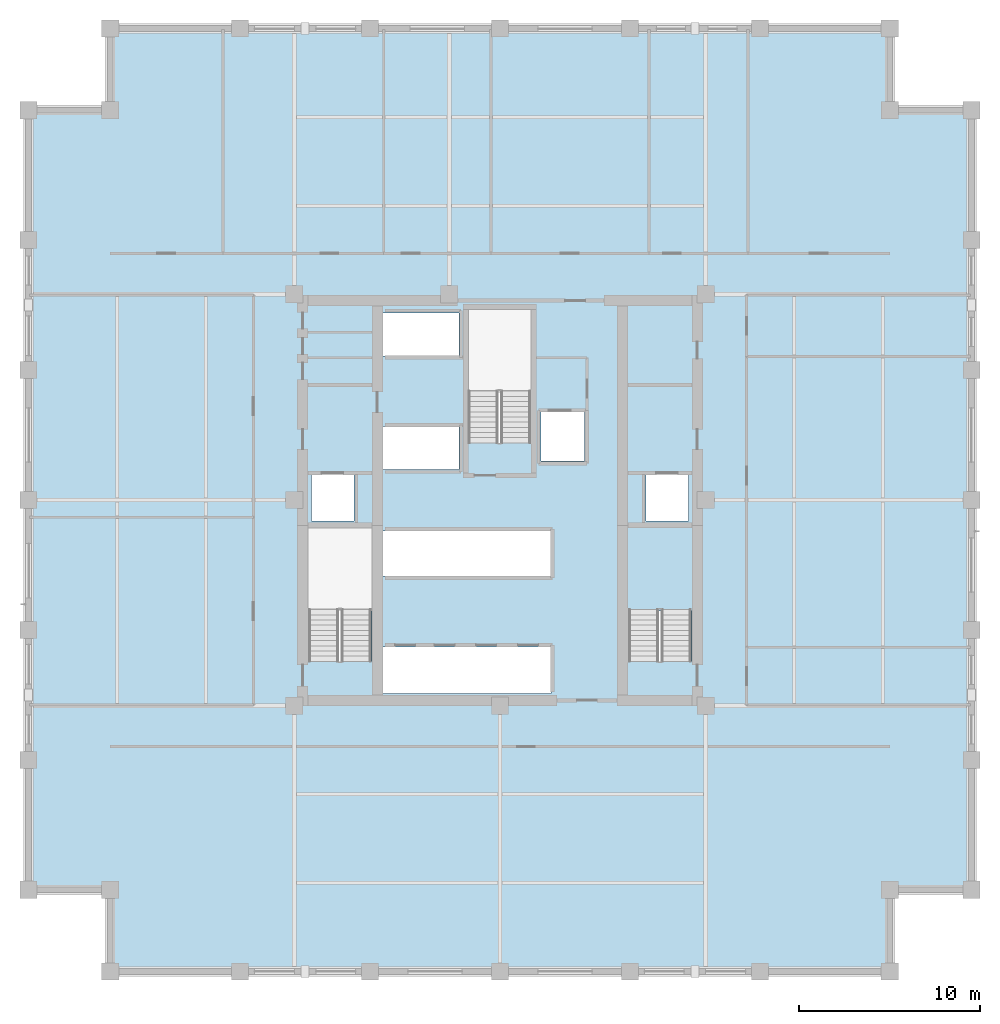
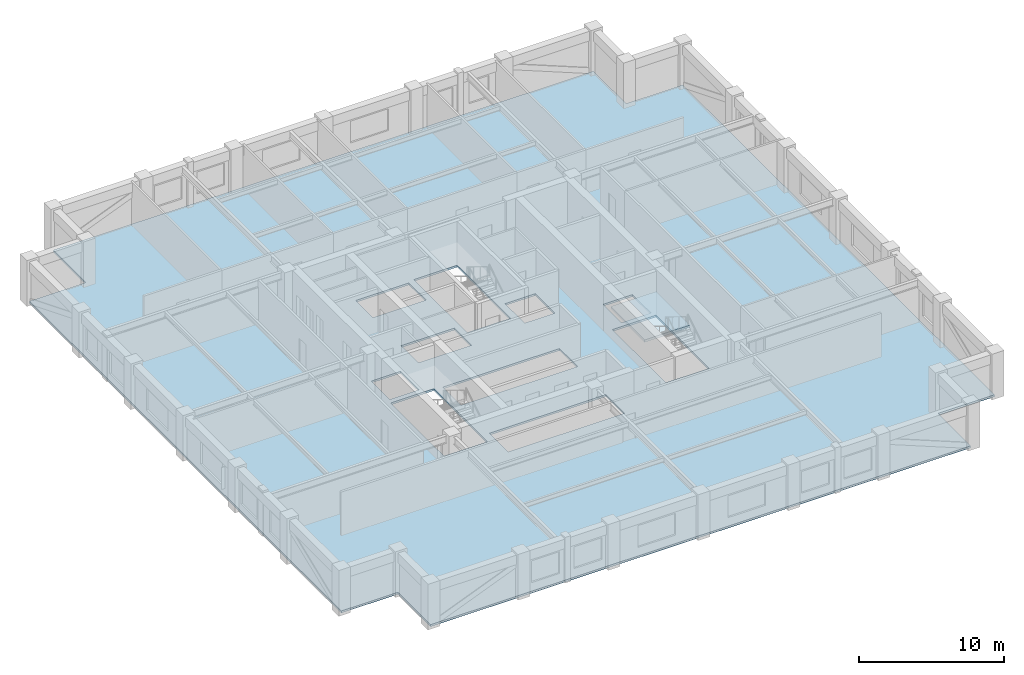
# One storey, part 3 of 9: 2 slabs, 1 element without a shape of its own.
"""IFC4 building model written with IfcOpenShell, lengths in metres."""

from ifc_helpers import new_model, si_unit, direction, frame, origin, place, context, subcontext, project, spatial, polyline, outline, extrude, material, layer, layer_set, type_object, element, aggregate, save


model = new_model("IFC4")

# Units and contexts
model_context = context("Model", 3, precision=1e-05, world=origin(), true_north=direction((0.0, 1.0)))
body_context = subcontext(model_context, "Body", "Model", "MODEL_VIEW")
ifc_project = project(units=[si_unit("LENGTHUNIT", "METRE"), si_unit("AREAUNIT", "SQUARE_METRE"), si_unit("VOLUMEUNIT", "CUBIC_METRE"), si_unit("PLANEANGLEUNIT", "RADIAN"), si_unit("MASSUNIT", "GRAM", prefix="KILO")], contexts=[model_context])

# Site, building, storey
site_placement = place(None, origin())
site = spatial("IfcSite", under=ifc_project, at=site_placement, CompositionType="ELEMENT")
building_placement = place(site_placement, origin())
building = spatial("IfcBuilding", under=site, at=building_placement, Name="Nhamokura Convention Tower", CompositionType="ELEMENT")
storey_placement = place(building_placement, frame((0.0, 0.0, 118.300048828125)))
storey = spatial("IfcBuildingStorey", under=building, at=storey_placement, Name="L28", CompositionType="ELEMENT", Elevation=118.300048828125)

# Slab
ifc_material_1 = material(Name="Concrete C40/50", Category="concrete")
ifc_layer_1 = layer(ifc_material_1, 0.1650390625)
ifc_layer_set_1 = layer_set([ifc_layer_1], Name="OfficeFloorSlab_165")
slab_type_1 = type_object("IfcSlabType", Name="OfficeFloorSlab_165", PredefinedType="FLOOR", material=ifc_layer_set_1)
slab_1_placement = place(storey_placement, frame((0.0, 0.0, -0.1650390625)))
element("IfcSlab", 1, at=slab_1_placement, inside=storey, type_object=slab_type_1, Name="L28 Structural Floor Slab", PredefinedType="FLOOR", context=body_context, shape_type="SweptSolid", body=[
    extrude(outline(polyline([(10.5, 6.0), (53.5, 6.0), (53.5, 10.5), (58.0, 10.5), (58.0, 53.5), (53.5, 53.5), (53.5, 58.0), (10.5, 58.0), (10.5, 53.5), (6.0, 53.5), (6.0, 10.5), (10.5, 10.5), (10.5, 6.0)]), holes=[polyline([(24.89990234375, 23.10009765625), (24.89990234375, 30.449951171875), (21.449951171875, 30.449951171875), (21.449951171875, 23.10009765625), (24.89990234375, 23.10009765625)]), polyline([(42.550048828125, 23.10009765625), (42.550048828125, 30.449951171875), (39.10009765625, 30.449951171875), (39.10009765625, 23.10009765625), (42.550048828125, 23.10009765625)]), polyline([(33.699951171875, 35.14990234375), (33.699951171875, 42.5), (30.25, 42.5), (30.25, 35.14990234375), (33.699951171875, 35.14990234375)]), polyline([(21.60009765625, 30.85009765625), (23.949951171875, 30.85009765625), (23.949951171875, 33.39990234375), (21.60009765625, 33.39990234375), (21.60009765625, 30.85009765625)]), polyline([(40.050048828125, 30.85009765625), (42.39990234375, 30.85009765625), (42.39990234375, 33.39990234375), (40.050048828125, 33.39990234375), (40.050048828125, 30.85009765625)]), polyline([(34.25, 34.14990234375), (36.64990234375, 34.14990234375), (36.64990234375, 36.85009765625), (34.25, 36.85009765625), (34.25, 34.14990234375)]), polyline([(25.52001953125, 21.320068359375), (34.800048828125, 21.320068359375), (34.800048828125, 23.89990234375), (25.52001953125, 23.89990234375), (25.52001953125, 21.320068359375)]), polyline([(25.52001953125, 27.800048828125), (34.800048828125, 27.800048828125), (34.800048828125, 30.300048828125), (25.52001953125, 30.300048828125), (25.52001953125, 27.800048828125)]), polyline([(25.52001953125, 33.679931640625), (29.75, 33.679931640625), (29.75, 36.050048828125), (25.52001953125, 36.050048828125), (25.52001953125, 33.679931640625)]), polyline([(25.52001953125, 39.949951171875), (29.75, 39.949951171875), (29.75, 42.320068359375), (25.52001953125, 42.320068359375), (25.52001953125, 39.949951171875)])]), origin(), (0.0, 0.0, 1.0), 0.1650390625),
])

# Stair, slab
ifc_material_2 = material(Name="Concrete C40/50", Category="concrete")
stair_type = type_object("IfcStairType", Name="TowerCoreStair_1650", PredefinedType="HALF_TURN_STAIR", material=ifc_material_2)
stair_placement = place(storey_placement, origin())
stair = element("IfcStair", 2, at=stair_placement, inside=storey, type_object=stair_type, Name="L28 East Core Smokeproof Stair ST-02", PredefinedType="HALF_TURN_STAIR")
ifc_material_3 = material(Name="Concrete C40/50", Category="concrete")
ifc_layer_2 = layer(ifc_material_3, 0.199951171875)
ifc_layer_set_2 = layer_set([ifc_layer_2], Name="StairLandingSlab_200")
slab_type_2 = type_object("IfcSlabType", Name="StairLandingSlab_200", PredefinedType="LANDING", material=ifc_layer_set_2)
slab_2_placement = place(storey_placement, frame((0.0, 0.0, 1.724853515625)))
slab_2 = element("IfcSlab", 3, at=slab_2_placement, type_object=slab_type_2, Name="ST-02 landing 1", PredefinedType="LANDING", context=body_context, shape_type="SweptSolid", body=[
    extrude(outline(polyline([(42.6298828125, 25.8701171875), (42.6298828125, 30.530029296875), (39.02001953125, 30.530029296875), (39.02001953125, 25.8701171875), (42.6298828125, 25.8701171875)])), origin(), (0.0, 0.0, 1.0), 0.2001953125),
])
aggregate(stair, [slab_2])

save(model, "model.ifc")
